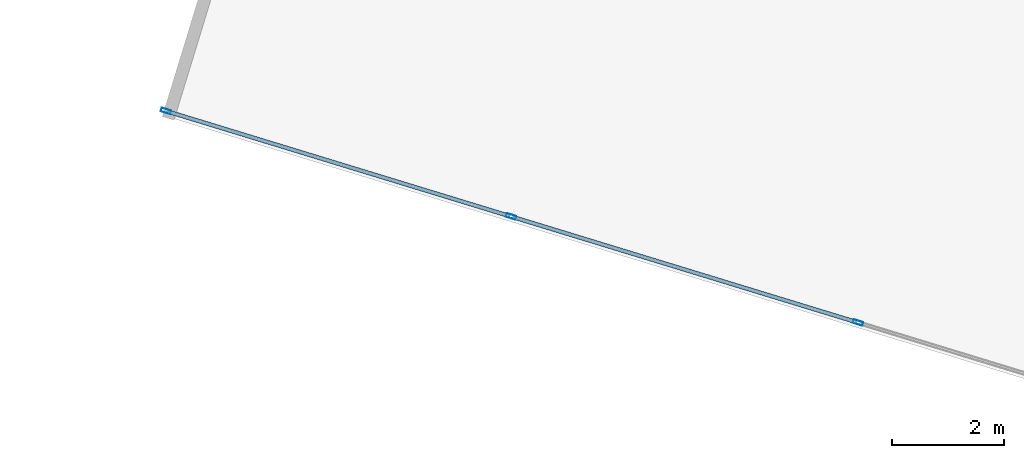
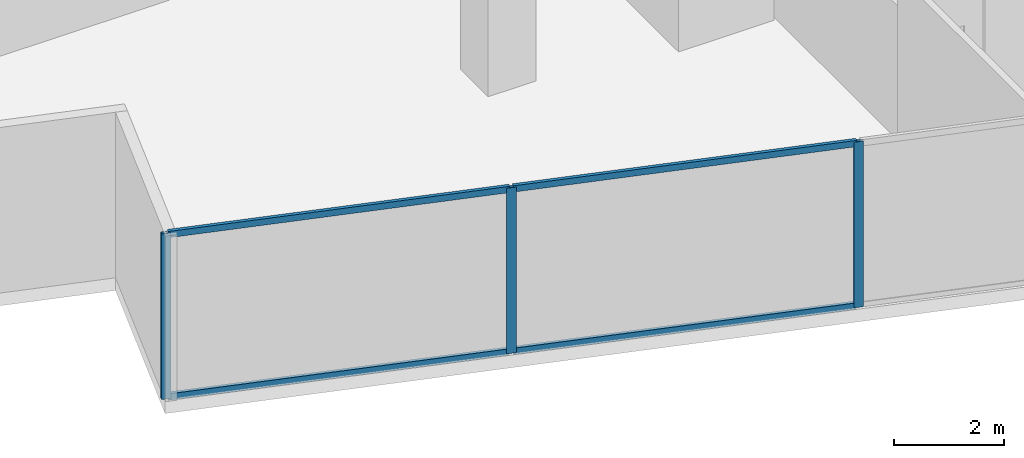
# One storey, part 2 of 26: 7 members, 1 element without a shape of its own.
"""IFC4 building model written with IfcOpenShell, lengths in metres."""

from ifc_helpers import new_model, si_unit, direction, frame, origin, origin_2d, place, context, subcontext, project, spatial, hollow_rectangle, extrude, source, transform, mapped, material, material_profile, profile_set, type_object, type_shapes, element, aggregate, save


model = new_model("IFC4")

# Units and contexts
model_context = context("Model", 3, precision=1e-05, world=origin(), true_north=direction((0.0, 1.0)))
body_context = subcontext(model_context, "Body", "Model", "MODEL_VIEW")
ifc_project = project(units=[si_unit("LENGTHUNIT", "METRE"), si_unit("AREAUNIT", "SQUARE_METRE"), si_unit("VOLUMEUNIT", "CUBIC_METRE"), si_unit("PLANEANGLEUNIT", "RADIAN"), si_unit("MASSUNIT", "GRAM", prefix="KILO")], contexts=[model_context])

# Site, building, storey
site_placement = place(None, origin())
site = spatial("IfcSite", under=ifc_project, at=site_placement, CompositionType="ELEMENT")
building_placement = place(site_placement, origin())
building = spatial("IfcBuilding", under=site, at=building_placement, Name="Krantzveldt Concourse Tower", CompositionType="ELEMENT")
storey_placement = place(building_placement, frame((0.0, 0.0, 109.800048828125)))
storey = spatial("IfcBuildingStorey", under=building, at=storey_placement, Name="L26", CompositionType="ELEMENT", Elevation=109.800048828125)

# Curtain wall, members
ifc_material = material(Name="Anodised aluminium 6063-T6", Category="aluminium")
curtain_wall_type = type_object("IfcCurtainWallType", Name="CW2", PredefinedType="USERDEFINED", material=ifc_material)
curtain_wall_placement = place(storey_placement, origin())
curtain_wall = element("IfcCurtainWall", 1, at=curtain_wall_placement, inside=storey, type_object=curtain_wall_type, Name="CW-L26-F04", ObjectType="UNITISED CURTAIN WALL", PredefinedType="USERDEFINED")
ifc_material_profile_1 = material_profile(ifc_material, hollow_rectangle(XDim=0.070068359375, YDim=0.179931640625, WallThickness=0.0048828125, at=origin_2d()), Name="Anodised aluminium 6063-T6", Category="aluminium")
ifc_profile_set_1 = profile_set([ifc_material_profile_1], Name="Anodised aluminium 6063-T6 - ALU-MULL 180x70x5")
member_type_1 = type_object("IfcMemberType", Name="CW-MUL-180", PredefinedType="MULLION", material=ifc_profile_set_1)
shared_shape_1 = source(origin(), body_context, "Body", "SweptSolid", [
    extrude(hollow_rectangle(XDim=0.070068359375, YDim=0.179931640625, WallThickness=0.0048828125, at=origin_2d()), origin(), (0.0, 0.0, 1.0), 3.669921875),
])
type_shapes(member_type_1, [shared_shape_1])
member_1_placement = place(storey_placement, frame((10.666015625, 10.0703125, 0.0), z_axis=(0.0, 0.0, 1.0), x_axis=(0.292371686864, 0.956304761423, 0.0)))
member_1 = element("IfcMember", 2, at=member_1_placement, type_object=member_type_1, Name="CW-Z12 mullion 1", PredefinedType="MULLION", context=body_context, shape_type="MappedRepresentation", body=[
    mapped(shared_shape_1, transform((0.0, 0.0, 0.0), x_axis=(1.0, 0.0, 0.0), y_axis=(0.0, 1.0, 0.0), z_axis=(0.0, 0.0, 1.0), scale=1.0)),
])
member_2_placement = place(storey_placement, frame((16.816650390625, 8.18994140625, 0.0), z_axis=(0.0, 0.0, 1.0), x_axis=(0.292371686864, 0.956304761423, 0.0)))
member_2 = element("IfcMember", 3, at=member_2_placement, type_object=member_type_1, Name="CW-Z12 mullion 2", PredefinedType="MULLION", context=body_context, shape_type="MappedRepresentation", body=[
    mapped(shared_shape_1, transform((0.0, 0.0, 0.0), x_axis=(1.0, 0.0, 0.0), y_axis=(0.0, 1.0, 0.0), z_axis=(0.0, 0.0, 1.0), scale=1.0)),
])
member_3_placement = place(storey_placement, frame((23.000732421875, 6.29931640625, 0.0), z_axis=(0.0, 0.0, 1.0), x_axis=(0.292371686864, 0.956304761423, 0.0)))
member_3 = element("IfcMember", 4, at=member_3_placement, type_object=member_type_1, Name="CW-Z12 mullion 3", PredefinedType="MULLION", context=body_context, shape_type="MappedRepresentation", body=[
    mapped(shared_shape_1, transform((0.0, 0.0, 0.0), x_axis=(1.0, 0.0, 0.0), y_axis=(0.0, 1.0, 0.0), z_axis=(0.0, 0.0, 1.0), scale=1.0)),
])
ifc_material_profile_2 = material_profile(ifc_material, hollow_rectangle(XDim=0.070068359375, YDim=0.139892578125, WallThickness=0.0048828125, at=origin_2d()), Name="Anodised aluminium 6063-T6", Category="aluminium")
ifc_profile_set_2 = profile_set([ifc_material_profile_2], Name="Anodised aluminium 6063-T6 - ALU-TRAN 140x70x5")
member_type_2 = type_object("IfcMemberType", Name="CW-TRN-150", PredefinedType="USERDEFINED", material=ifc_profile_set_2)
shared_shape_2 = source(origin(), body_context, "Body", "SweptSolid", [
    extrude(hollow_rectangle(XDim=0.070068359375, YDim=0.139892578125, WallThickness=0.0048828125, at=origin_2d()), origin(), (0.0, 0.0, 1.0), 6.361572265625),
])
member_4_placement = place(storey_placement, frame((10.699462890625, 10.06005859375, 0.034912109375), z_axis=(0.956310151395, -0.292354056476, 0.0), x_axis=(0.292354056476, 0.956310151395, 0.0)))
member_4 = element("IfcMember", 5, at=member_4_placement, type_object=member_type_2, Name="CW-Z12 transom 1.1", ObjectType="TRANSOM", PredefinedType="USERDEFINED", context=body_context, shape_type="MappedRepresentation", body=[
    mapped(shared_shape_2, transform((0.0, 0.0, 0.0), x_axis=(1.0, 0.0, 0.0), y_axis=(0.0, 1.0, 0.0), z_axis=(0.0, 0.0, 1.0), scale=1.0)),
])
member_5_placement = place(storey_placement, frame((10.699462890625, 10.06005859375, 3.635009765625), z_axis=(0.956310151395, -0.292354056476, 0.0), x_axis=(0.292354056476, 0.956310151395, 0.0)))
member_5 = element("IfcMember", 6, at=member_5_placement, type_object=member_type_2, Name="CW-Z12 transom 1.2", ObjectType="TRANSOM", PredefinedType="USERDEFINED", context=body_context, shape_type="MappedRepresentation", body=[
    mapped(shared_shape_2, transform((0.0, 0.0, 0.0), x_axis=(1.0, 0.0, 0.0), y_axis=(0.0, 1.0, 0.0), z_axis=(0.0, 0.0, 1.0), scale=1.0)),
])
shared_shape_3 = source(origin(), body_context, "Body", "SweptSolid", [
    extrude(hollow_rectangle(XDim=0.070068359375, YDim=0.139892578125, WallThickness=0.0048828125, at=origin_2d()), origin(), (0.0, 0.0, 1.0), 6.396728515625),
])
type_shapes(member_type_2, [shared_shape_2, shared_shape_3])
member_6_placement = place(storey_placement, frame((16.85009765625, 8.1796875, 0.034912109375), z_axis=(0.956298224466, -0.292393067434, 0.0), x_axis=(0.292393067434, 0.956298224466, 0.0)))
member_6 = element("IfcMember", 7, at=member_6_placement, type_object=member_type_2, Name="CW-Z12 transom 2.1", ObjectType="TRANSOM", PredefinedType="USERDEFINED", context=body_context, shape_type="MappedRepresentation", body=[
    mapped(shared_shape_3, transform((0.0, 0.0, 0.0), x_axis=(1.0, 0.0, 0.0), y_axis=(0.0, 1.0, 0.0), z_axis=(0.0, 0.0, 1.0), scale=1.0)),
])
member_7_placement = place(storey_placement, frame((16.85009765625, 8.1796875, 3.635009765625), z_axis=(0.956298224466, -0.292393067434, 0.0), x_axis=(0.292393067434, 0.956298224466, 0.0)))
member_7 = element("IfcMember", 8, at=member_7_placement, type_object=member_type_2, Name="CW-Z12 transom 2.2", ObjectType="TRANSOM", PredefinedType="USERDEFINED", context=body_context, shape_type="MappedRepresentation", body=[
    mapped(shared_shape_3, transform((0.0, 0.0, 0.0), x_axis=(1.0, 0.0, 0.0), y_axis=(0.0, 1.0, 0.0), z_axis=(0.0, 0.0, 1.0), scale=1.0)),
])
aggregate(curtain_wall, [member_1, member_2, member_3, member_4, member_5, member_6, member_7])

save(model, "model.ifc")
